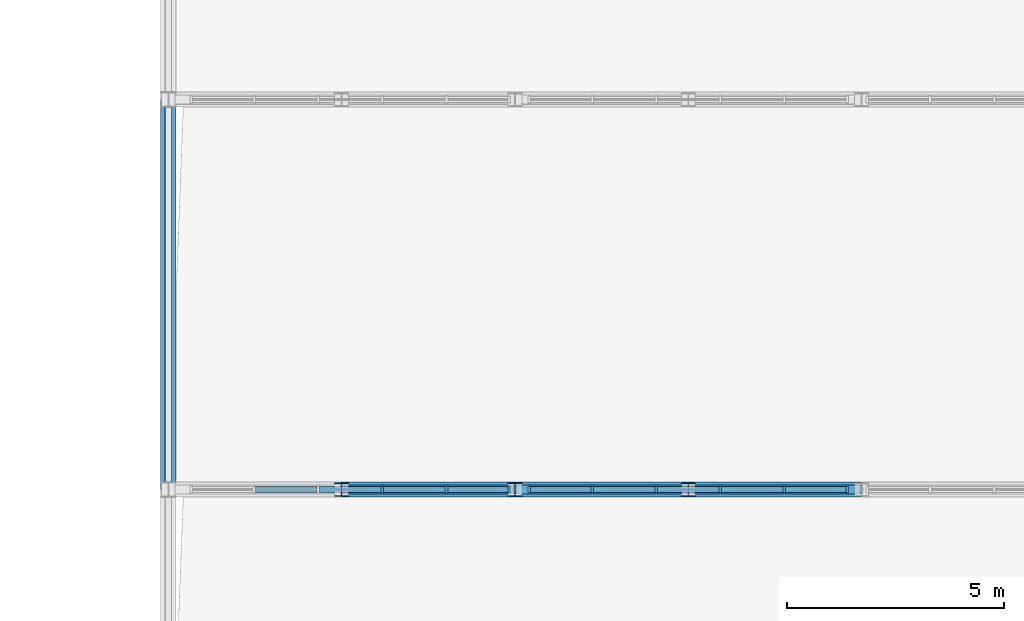
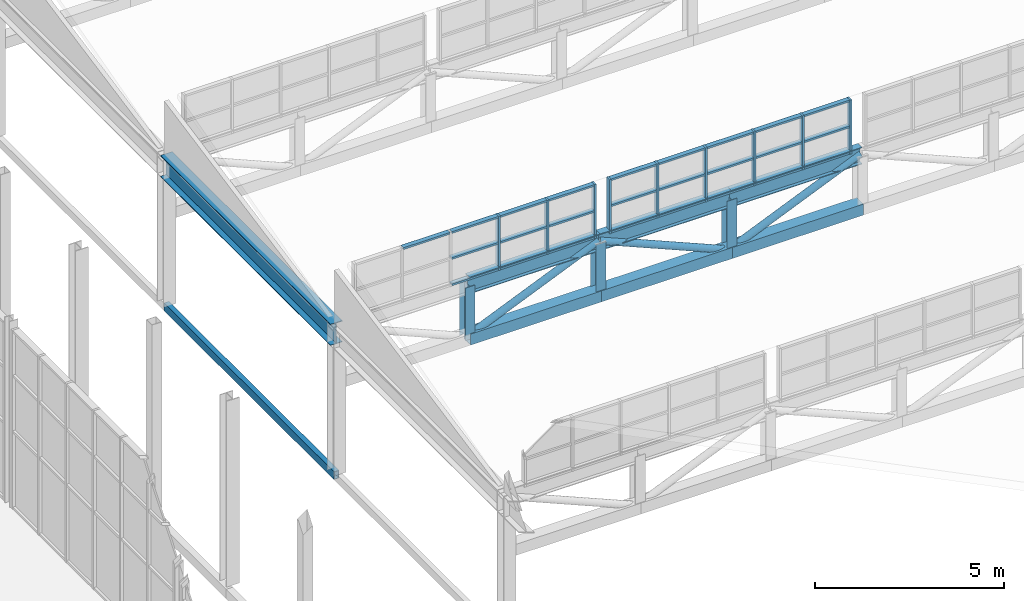
# One storey, part 78 of 159: 46 members, 2 beams, 2 elements without a shape of their own.
"""IFC4 building model written with IfcOpenShell, lengths in metres."""

from ifc_helpers import new_model, si_unit, direction, frame, origin, origin_2d, place, context, subcontext, project, spatial, rectangle, hollow_rectangle, hollow_circle, i_section, extrude, material, layer, layer_set, material_profile, profile_set, type_object, element, aggregate, save


model = new_model("IFC4")

# Units and contexts
model_context = context("Model", 3, precision=1e-05, world=origin(), true_north=direction((0.0, 1.0)))
body_context = subcontext(model_context, "Body", "Model", "MODEL_VIEW")
ifc_project = project(units=[si_unit("LENGTHUNIT", "METRE"), si_unit("AREAUNIT", "SQUARE_METRE"), si_unit("VOLUMEUNIT", "CUBIC_METRE"), si_unit("PLANEANGLEUNIT", "RADIAN"), si_unit("MASSUNIT", "GRAM", prefix="KILO")], contexts=[model_context])

# Site, building, storey
site_placement = place(None, origin())
site = spatial("IfcSite", under=ifc_project, at=site_placement, CompositionType="ELEMENT")
building_placement = place(site_placement, origin())
building = spatial("IfcBuilding", under=site, at=building_placement, Name="Cazmaro Siding Exhibition Halls", CompositionType="ELEMENT")
storey_placement = place(building_placement, frame((0.0, 0.0, 6.0)))
storey = spatial("IfcBuildingStorey", under=building, at=storey_placement, Name="L01", CompositionType="ELEMENT", Elevation=6.0)

# Curtain wall, members
ifc_material_1 = material(Name="Anodized Bronze Aluminum and Solar-Control Low-E Glazing", Category="aluminium")
ifc_layer = layer(ifc_material_1, 0.159912109375)
ifc_layer_set = layer_set([ifc_layer], Name="Anodized Bronze Aluminum and Solar-Control Low-E Glazing")
curtain_wall_type = type_object("IfcCurtainWallType", Name="CWS-04", PredefinedType="USERDEFINED", material=ifc_layer_set)
curtain_wall_1_placement = place(storey_placement, origin())
curtain_wall_1 = element("IfcCurtainWall", 1, at=curtain_wall_1_placement, inside=storey, type_object=curtain_wall_type, Name="Clerestory Curtain Wall CWS-04 CW-120", ObjectType="CLERESTORY CURTAIN WALL", PredefinedType="USERDEFINED")
ifc_material_2 = material(Name="Anodized Bronze Extruded Aluminum", Category="aluminium")
ifc_material_profile_1 = material_profile(ifc_material_2, rectangle(XDim=0.159912109375, YDim=0.06005859375, at=origin_2d()), Name="CWM-04")
ifc_profile_set_1 = profile_set([ifc_material_profile_1], Name="Anodized Bronze Extruded Aluminum")
member_type_1 = type_object("IfcMemberType", Name="CWM-04", PredefinedType="MULLION", material=ifc_profile_set_1)
member_1_placement = place(storey_placement, frame((183.8701171875, 91.0, 4.800048828125), z_axis=(0.0, 0.0, 1.0), x_axis=(0.0, -1.0, 0.0)))
member_1 = element("IfcMember", 2, at=member_1_placement, type_object=member_type_1, Name="CWS-04 mullion 1", PredefinedType="MULLION", context=body_context, shape_type="SweptSolid", body=[
    extrude(rectangle(XDim=0.159912109375, YDim=0.06005859375, at=origin_2d()), origin(), (0.0, 0.0, 1.0), 1.75),
])
member_2_placement = place(storey_placement, frame((182.419921875, 91.0, 4.800048828125), z_axis=(0.0, 0.0, 1.0), x_axis=(0.0, -1.0, 0.0)))
member_2 = element("IfcMember", 3, at=member_2_placement, type_object=member_type_1, Name="CWS-04 mullion 2", PredefinedType="MULLION", context=body_context, shape_type="SweptSolid", body=[
    extrude(rectangle(XDim=0.159912109375, YDim=0.06005859375, at=origin_2d()), origin(), (0.0, 0.0, 1.0), 1.75),
])
member_3_placement = place(storey_placement, frame((180.93994140625, 91.0, 4.800048828125), z_axis=(0.0, 0.0, 1.0), x_axis=(0.0, -1.0, 0.0)))
member_3 = element("IfcMember", 4, at=member_3_placement, type_object=member_type_1, Name="CWS-04 mullion 3", PredefinedType="MULLION", context=body_context, shape_type="SweptSolid", body=[
    extrude(rectangle(XDim=0.159912109375, YDim=0.06005859375, at=origin_2d()), origin(), (0.0, 0.0, 1.0), 1.75),
])

curtain_wall_2_placement = place(storey_placement, origin())
curtain_wall_2 = element("IfcCurtainWall", 5, at=curtain_wall_2_placement, inside=storey, type_object=curtain_wall_type, Name="Clerestory Curtain Wall CWS-04 CW-121", ObjectType="CLERESTORY CURTAIN WALL", PredefinedType="USERDEFINED")
member_4_placement = place(storey_placement, frame((191.669921875, 91.0, 4.800048828125), z_axis=(0.0, 0.0, 1.0), x_axis=(0.0, -1.0, 0.0)))
member_4 = element("IfcMember", 6, at=member_4_placement, type_object=member_type_1, Name="CWS-04 mullion 1", PredefinedType="MULLION", context=body_context, shape_type="SweptSolid", body=[
    extrude(rectangle(XDim=0.159912109375, YDim=0.06005859375, at=origin_2d()), origin(), (0.0, 0.0, 1.0), 1.75),
])
member_5_placement = place(storey_placement, frame((190.219970703125, 91.0, 4.800048828125), z_axis=(0.0, 0.0, 1.0), x_axis=(0.0, -1.0, 0.0)))
member_5 = element("IfcMember", 7, at=member_5_placement, type_object=member_type_1, Name="CWS-04 mullion 2", PredefinedType="MULLION", context=body_context, shape_type="SweptSolid", body=[
    extrude(rectangle(XDim=0.159912109375, YDim=0.06005859375, at=origin_2d()), origin(), (0.0, 0.0, 1.0), 1.75),
])
member_6_placement = place(storey_placement, frame((188.739990234375, 91.0, 4.800048828125), z_axis=(0.0, 0.0, 1.0), x_axis=(0.0, -1.0, 0.0)))
member_6 = element("IfcMember", 8, at=member_6_placement, type_object=member_type_1, Name="CWS-04 mullion 3", PredefinedType="MULLION", context=body_context, shape_type="SweptSolid", body=[
    extrude(rectangle(XDim=0.159912109375, YDim=0.06005859375, at=origin_2d()), origin(), (0.0, 0.0, 1.0), 1.75),
])
member_7_placement = place(storey_placement, frame((187.260009765625, 91.0, 4.800048828125), z_axis=(0.0, 0.0, 1.0), x_axis=(0.0, -1.0, 0.0)))
member_7 = element("IfcMember", 9, at=member_7_placement, type_object=member_type_1, Name="CWS-04 mullion 4", PredefinedType="MULLION", context=body_context, shape_type="SweptSolid", body=[
    extrude(rectangle(XDim=0.159912109375, YDim=0.06005859375, at=origin_2d()), origin(), (0.0, 0.0, 1.0), 1.75),
])
member_8_placement = place(storey_placement, frame((185.780029296875, 91.0, 4.800048828125), z_axis=(0.0, 0.0, 1.0), x_axis=(0.0, -1.0, 0.0)))
member_8 = element("IfcMember", 10, at=member_8_placement, type_object=member_type_1, Name="CWS-04 mullion 5", PredefinedType="MULLION", context=body_context, shape_type="SweptSolid", body=[
    extrude(rectangle(XDim=0.159912109375, YDim=0.06005859375, at=origin_2d()), origin(), (0.0, 0.0, 1.0), 1.75),
])
member_9_placement = place(storey_placement, frame((184.330078125, 91.0, 4.800048828125), z_axis=(0.0, 0.0, 1.0), x_axis=(0.0, -1.0, 0.0)))
member_9 = element("IfcMember", 11, at=member_9_placement, type_object=member_type_1, Name="CWS-04 mullion 6", PredefinedType="MULLION", context=body_context, shape_type="SweptSolid", body=[
    extrude(rectangle(XDim=0.159912109375, YDim=0.06005859375, at=origin_2d()), origin(), (0.0, 0.0, 1.0), 1.75),
])

# Member
ifc_material_3 = material(Name="Anodized Bronze Extruded Aluminum", Category="aluminium")
ifc_material_profile_2 = material_profile(ifc_material_3, rectangle(XDim=0.139892578125, YDim=0.06005859375, at=origin_2d()), Name="CWT-04")
ifc_profile_set_2 = profile_set([ifc_material_profile_2], Name="Anodized Bronze Extruded Aluminum")
member_type_2 = type_object("IfcMemberType", Name="CWT-04", PredefinedType="MULLION", material=ifc_profile_set_2)
member_10_placement = place(storey_placement, frame((183.840087890625, 91.0, 4.830078125), z_axis=(-1.0, 0.0, 0.0), x_axis=(0.0, -1.0, 0.0)))
member_10 = element("IfcMember", 12, at=member_10_placement, type_object=member_type_2, Name="CWS-04 transom 1.1", ObjectType="TRANSOM", PredefinedType="USERDEFINED", context=body_context, shape_type="SweptSolid", body=[
    extrude(rectangle(XDim=0.139892578125, YDim=0.06005859375, at=origin_2d()), origin(), (0.0, 0.0, 1.0), 1.39013671875),
])

member_11_placement = place(storey_placement, frame((183.840087890625, 91.0, 5.679931640625), z_axis=(-1.0, 0.0, 0.0), x_axis=(0.0, -1.0, 0.0)))
member_11 = element("IfcMember", 13, at=member_11_placement, type_object=member_type_2, Name="CWS-04 transom 1.2", ObjectType="TRANSOM", PredefinedType="USERDEFINED", context=body_context, shape_type="SweptSolid", body=[
    extrude(rectangle(XDim=0.139892578125, YDim=0.06005859375, at=origin_2d()), origin(), (0.0, 0.0, 1.0), 1.39013671875),
])

member_12_placement = place(storey_placement, frame((183.840087890625, 91.0, 6.52001953125), z_axis=(-1.0, 0.0, 0.0), x_axis=(0.0, -1.0, 0.0)))
member_12 = element("IfcMember", 14, at=member_12_placement, type_object=member_type_2, Name="CWS-04 transom 1.3", ObjectType="TRANSOM", PredefinedType="USERDEFINED", context=body_context, shape_type="SweptSolid", body=[
    extrude(rectangle(XDim=0.139892578125, YDim=0.06005859375, at=origin_2d()), origin(), (0.0, 0.0, 1.0), 1.39013671875),
])

member_13_placement = place(storey_placement, frame((182.389892578125, 91.0, 4.830078125), z_axis=(-1.0, 0.0, 0.0), x_axis=(0.0, -1.0, 0.0)))
member_13 = element("IfcMember", 15, at=member_13_placement, type_object=member_type_2, Name="CWS-04 transom 2.1", ObjectType="TRANSOM", PredefinedType="USERDEFINED", context=body_context, shape_type="SweptSolid", body=[
    extrude(rectangle(XDim=0.139892578125, YDim=0.06005859375, at=origin_2d()), origin(), (0.0, 0.0, 1.0), 1.419921875),
])

member_14_placement = place(storey_placement, frame((182.389892578125, 91.0, 5.679931640625), z_axis=(-1.0, 0.0, 0.0), x_axis=(0.0, -1.0, 0.0)))
member_14 = element("IfcMember", 16, at=member_14_placement, type_object=member_type_2, Name="CWS-04 transom 2.2", ObjectType="TRANSOM", PredefinedType="USERDEFINED", context=body_context, shape_type="SweptSolid", body=[
    extrude(rectangle(XDim=0.139892578125, YDim=0.06005859375, at=origin_2d()), origin(), (0.0, 0.0, 1.0), 1.419921875),
])

member_15_placement = place(storey_placement, frame((182.389892578125, 91.0, 6.52001953125), z_axis=(-1.0, 0.0, 0.0), x_axis=(0.0, -1.0, 0.0)))
member_15 = element("IfcMember", 17, at=member_15_placement, type_object=member_type_2, Name="CWS-04 transom 2.3", ObjectType="TRANSOM", PredefinedType="USERDEFINED", context=body_context, shape_type="SweptSolid", body=[
    extrude(rectangle(XDim=0.139892578125, YDim=0.06005859375, at=origin_2d()), origin(), (0.0, 0.0, 1.0), 1.419921875),
])

member_16_placement = place(storey_placement, frame((180.909912109375, 91.0, 4.830078125), z_axis=(-1.0, 0.0, 0.0), x_axis=(0.0, -1.0, 0.0)))
member_16 = element("IfcMember", 18, at=member_16_placement, type_object=member_type_2, Name="CWS-04 transom 3.1", ObjectType="TRANSOM", PredefinedType="USERDEFINED", context=body_context, shape_type="SweptSolid", body=[
    extrude(rectangle(XDim=0.139892578125, YDim=0.06005859375, at=origin_2d()), origin(), (0.0, 0.0, 1.0), 1.419921875),
])

member_17_placement = place(storey_placement, frame((180.909912109375, 91.0, 5.679931640625), z_axis=(-1.0, 0.0, 0.0), x_axis=(0.0, -1.0, 0.0)))
member_17 = element("IfcMember", 19, at=member_17_placement, type_object=member_type_2, Name="CWS-04 transom 3.2", ObjectType="TRANSOM", PredefinedType="USERDEFINED", context=body_context, shape_type="SweptSolid", body=[
    extrude(rectangle(XDim=0.139892578125, YDim=0.06005859375, at=origin_2d()), origin(), (0.0, 0.0, 1.0), 1.419921875),
])

member_18_placement = place(storey_placement, frame((180.909912109375, 91.0, 6.52001953125), z_axis=(-1.0, 0.0, 0.0), x_axis=(0.0, -1.0, 0.0)))
member_18 = element("IfcMember", 20, at=member_18_placement, type_object=member_type_2, Name="CWS-04 transom 3.3", ObjectType="TRANSOM", PredefinedType="USERDEFINED", context=body_context, shape_type="SweptSolid", body=[
    extrude(rectangle(XDim=0.139892578125, YDim=0.06005859375, at=origin_2d()), origin(), (0.0, 0.0, 1.0), 1.419921875),
])

member_19_placement = place(storey_placement, frame((179.429931640625, 91.0, 6.52001953125), z_axis=(-1.0, 0.0, 0.0), x_axis=(0.0, -1.0, 0.0)))
member_19 = element("IfcMember", 21, at=member_19_placement, type_object=member_type_2, Name="CWS-04 transom 4.3", ObjectType="TRANSOM", PredefinedType="USERDEFINED", context=body_context, shape_type="SweptSolid", body=[
    extrude(rectangle(XDim=0.139892578125, YDim=0.06005859375, at=origin_2d()), origin(), (0.0, 0.0, 1.0), 1.419921875),
])

aggregate(curtain_wall_1, [member_1, member_2, member_3, member_10, member_11, member_12, member_13, member_14, member_15, member_16, member_17, member_18, member_19])

member_20_placement = place(storey_placement, frame((191.639892578125, 91.0, 4.830078125), z_axis=(-1.0, 0.0, 0.0), x_axis=(0.0, -1.0, 0.0)))
member_20 = element("IfcMember", 22, at=member_20_placement, type_object=member_type_2, Name="CWS-04 transom 1.1", ObjectType="TRANSOM", PredefinedType="USERDEFINED", context=body_context, shape_type="SweptSolid", body=[
    extrude(rectangle(XDim=0.139892578125, YDim=0.06005859375, at=origin_2d()), origin(), (0.0, 0.0, 1.0), 1.389892578125),
])

member_21_placement = place(storey_placement, frame((191.639892578125, 91.0, 5.679931640625), z_axis=(-1.0, 0.0, 0.0), x_axis=(0.0, -1.0, 0.0)))
member_21 = element("IfcMember", 23, at=member_21_placement, type_object=member_type_2, Name="CWS-04 transom 1.2", ObjectType="TRANSOM", PredefinedType="USERDEFINED", context=body_context, shape_type="SweptSolid", body=[
    extrude(rectangle(XDim=0.139892578125, YDim=0.06005859375, at=origin_2d()), origin(), (0.0, 0.0, 1.0), 1.389892578125),
])

member_22_placement = place(storey_placement, frame((191.639892578125, 91.0, 6.52001953125), z_axis=(-1.0, 0.0, 0.0), x_axis=(0.0, -1.0, 0.0)))
member_22 = element("IfcMember", 24, at=member_22_placement, type_object=member_type_2, Name="CWS-04 transom 1.3", ObjectType="TRANSOM", PredefinedType="USERDEFINED", context=body_context, shape_type="SweptSolid", body=[
    extrude(rectangle(XDim=0.139892578125, YDim=0.06005859375, at=origin_2d()), origin(), (0.0, 0.0, 1.0), 1.389892578125),
])

member_23_placement = place(storey_placement, frame((190.18994140625, 91.0, 4.830078125), z_axis=(-1.0, 0.0, 0.0), x_axis=(0.0, -1.0, 0.0)))
member_23 = element("IfcMember", 25, at=member_23_placement, type_object=member_type_2, Name="CWS-04 transom 2.1", ObjectType="TRANSOM", PredefinedType="USERDEFINED", context=body_context, shape_type="SweptSolid", body=[
    extrude(rectangle(XDim=0.139892578125, YDim=0.06005859375, at=origin_2d()), origin(), (0.0, 0.0, 1.0), 1.419921875),
])

member_24_placement = place(storey_placement, frame((190.18994140625, 91.0, 5.679931640625), z_axis=(-1.0, 0.0, 0.0), x_axis=(0.0, -1.0, 0.0)))
member_24 = element("IfcMember", 26, at=member_24_placement, type_object=member_type_2, Name="CWS-04 transom 2.2", ObjectType="TRANSOM", PredefinedType="USERDEFINED", context=body_context, shape_type="SweptSolid", body=[
    extrude(rectangle(XDim=0.139892578125, YDim=0.06005859375, at=origin_2d()), origin(), (0.0, 0.0, 1.0), 1.419921875),
])

member_25_placement = place(storey_placement, frame((190.18994140625, 91.0, 6.52001953125), z_axis=(-1.0, 0.0, 0.0), x_axis=(0.0, -1.0, 0.0)))
member_25 = element("IfcMember", 27, at=member_25_placement, type_object=member_type_2, Name="CWS-04 transom 2.3", ObjectType="TRANSOM", PredefinedType="USERDEFINED", context=body_context, shape_type="SweptSolid", body=[
    extrude(rectangle(XDim=0.139892578125, YDim=0.06005859375, at=origin_2d()), origin(), (0.0, 0.0, 1.0), 1.419921875),
])

member_26_placement = place(storey_placement, frame((188.7099609375, 91.0, 4.830078125), z_axis=(-1.0, 0.0, 0.0), x_axis=(0.0, -1.0, 0.0)))
member_26 = element("IfcMember", 28, at=member_26_placement, type_object=member_type_2, Name="CWS-04 transom 3.1", ObjectType="TRANSOM", PredefinedType="USERDEFINED", context=body_context, shape_type="SweptSolid", body=[
    extrude(rectangle(XDim=0.139892578125, YDim=0.06005859375, at=origin_2d()), origin(), (0.0, 0.0, 1.0), 1.419921875),
])

member_27_placement = place(storey_placement, frame((188.7099609375, 91.0, 5.679931640625), z_axis=(-1.0, 0.0, 0.0), x_axis=(0.0, -1.0, 0.0)))
member_27 = element("IfcMember", 29, at=member_27_placement, type_object=member_type_2, Name="CWS-04 transom 3.2", ObjectType="TRANSOM", PredefinedType="USERDEFINED", context=body_context, shape_type="SweptSolid", body=[
    extrude(rectangle(XDim=0.139892578125, YDim=0.06005859375, at=origin_2d()), origin(), (0.0, 0.0, 1.0), 1.419921875),
])

member_28_placement = place(storey_placement, frame((188.7099609375, 91.0, 6.52001953125), z_axis=(-1.0, 0.0, 0.0), x_axis=(0.0, -1.0, 0.0)))
member_28 = element("IfcMember", 30, at=member_28_placement, type_object=member_type_2, Name="CWS-04 transom 3.3", ObjectType="TRANSOM", PredefinedType="USERDEFINED", context=body_context, shape_type="SweptSolid", body=[
    extrude(rectangle(XDim=0.139892578125, YDim=0.06005859375, at=origin_2d()), origin(), (0.0, 0.0, 1.0), 1.419921875),
])

member_29_placement = place(storey_placement, frame((187.22998046875, 91.0, 4.830078125), z_axis=(-1.0, 0.0, 0.0), x_axis=(0.0, -1.0, 0.0)))
member_29 = element("IfcMember", 31, at=member_29_placement, type_object=member_type_2, Name="CWS-04 transom 4.1", ObjectType="TRANSOM", PredefinedType="USERDEFINED", context=body_context, shape_type="SweptSolid", body=[
    extrude(rectangle(XDim=0.139892578125, YDim=0.06005859375, at=origin_2d()), origin(), (0.0, 0.0, 1.0), 1.419921875),
])

member_30_placement = place(storey_placement, frame((187.22998046875, 91.0, 5.679931640625), z_axis=(-1.0, 0.0, 0.0), x_axis=(0.0, -1.0, 0.0)))
member_30 = element("IfcMember", 32, at=member_30_placement, type_object=member_type_2, Name="CWS-04 transom 4.2", ObjectType="TRANSOM", PredefinedType="USERDEFINED", context=body_context, shape_type="SweptSolid", body=[
    extrude(rectangle(XDim=0.139892578125, YDim=0.06005859375, at=origin_2d()), origin(), (0.0, 0.0, 1.0), 1.419921875),
])

member_31_placement = place(storey_placement, frame((187.22998046875, 91.0, 6.52001953125), z_axis=(-1.0, 0.0, 0.0), x_axis=(0.0, -1.0, 0.0)))
member_31 = element("IfcMember", 33, at=member_31_placement, type_object=member_type_2, Name="CWS-04 transom 4.3", ObjectType="TRANSOM", PredefinedType="USERDEFINED", context=body_context, shape_type="SweptSolid", body=[
    extrude(rectangle(XDim=0.139892578125, YDim=0.06005859375, at=origin_2d()), origin(), (0.0, 0.0, 1.0), 1.419921875),
])

member_32_placement = place(storey_placement, frame((185.75, 91.0, 4.830078125), z_axis=(-1.0, 0.0, 0.0), x_axis=(0.0, -1.0, 0.0)))
member_32 = element("IfcMember", 34, at=member_32_placement, type_object=member_type_2, Name="CWS-04 transom 5.1", ObjectType="TRANSOM", PredefinedType="USERDEFINED", context=body_context, shape_type="SweptSolid", body=[
    extrude(rectangle(XDim=0.139892578125, YDim=0.06005859375, at=origin_2d()), origin(), (0.0, 0.0, 1.0), 1.389892578125),
])

member_33_placement = place(storey_placement, frame((185.75, 91.0, 5.679931640625), z_axis=(-1.0, 0.0, 0.0), x_axis=(0.0, -1.0, 0.0)))
member_33 = element("IfcMember", 35, at=member_33_placement, type_object=member_type_2, Name="CWS-04 transom 5.2", ObjectType="TRANSOM", PredefinedType="USERDEFINED", context=body_context, shape_type="SweptSolid", body=[
    extrude(rectangle(XDim=0.139892578125, YDim=0.06005859375, at=origin_2d()), origin(), (0.0, 0.0, 1.0), 1.389892578125),
])

member_34_placement = place(storey_placement, frame((185.75, 91.0, 6.52001953125), z_axis=(-1.0, 0.0, 0.0), x_axis=(0.0, -1.0, 0.0)))
member_34 = element("IfcMember", 36, at=member_34_placement, type_object=member_type_2, Name="CWS-04 transom 5.3", ObjectType="TRANSOM", PredefinedType="USERDEFINED", context=body_context, shape_type="SweptSolid", body=[
    extrude(rectangle(XDim=0.139892578125, YDim=0.06005859375, at=origin_2d()), origin(), (0.0, 0.0, 1.0), 1.389892578125),
])

aggregate(curtain_wall_2, [member_4, member_5, member_6, member_7, member_8, member_9, member_20, member_21, member_22, member_23, member_24, member_25, member_26, member_27, member_28, member_29, member_30, member_31, member_32, member_33, member_34])

# Beams
ifc_material_4 = material(Name="Steel ASTM A992 Grade 50", Category="steel")
ifc_material_profile_3 = material_profile(ifc_material_4, i_section(OverallWidth=0.35595703125, OverallDepth=0.696044921875, WebThickness=0.014892578125, FlangeThickness=0.02490234375, at=origin_2d()), Name="W27X146")
ifc_profile_set_3 = profile_set([ifc_material_profile_3], Name="Steel ASTM A992 Grade 50")
beam_type_1 = type_object("IfcBeamType", Name="G-05", PredefinedType="USERDEFINED", material=ifc_profile_set_3)
beam_1_placement = place(storey_placement, frame((176.0, 91.0, 4.451904296875), z_axis=(0.0, 1.0, 0.0), x_axis=(-1.0, 0.0, 0.0)))
element("IfcBeam", 37, at=beam_1_placement, inside=storey, type_object=beam_type_1, Name="Beam G-05 BM-1556", ObjectType="GIRDER", PredefinedType="USERDEFINED", context=body_context, shape_type="SweptSolid", body=[
    extrude(i_section(OverallWidth=0.35595703125, OverallDepth=0.696044921875, WebThickness=0.014892578125, FlangeThickness=0.02490234375, at=origin_2d()), origin(), (0.0, 0.0, 1.0), 9.0),
])
ifc_material_5 = material(Name="Steel ASTM A500 Grade C", Category="steel")
ifc_material_profile_4 = material_profile(ifc_material_5, hollow_rectangle(XDim=0.152099609375, YDim=0.25390625, WallThickness=0.011962890625, at=origin_2d()), Name="HSS10X6X1/2")
ifc_profile_set_4 = profile_set([ifc_material_profile_4], Name="Steel ASTM A500 Grade C")
beam_type_2 = type_object("IfcBeamType", Name="SP-02", PredefinedType="SPANDREL", material=ifc_profile_set_4)
beam_2_placement = place(storey_placement, frame((176.0, 91.0, -0.126953125), z_axis=(0.0, 1.0, 0.0), x_axis=(-1.0, 0.0, 0.0)))
element("IfcBeam", 38, at=beam_2_placement, inside=storey, type_object=beam_type_2, Name="Beam SP-02 BM-1555", PredefinedType="SPANDREL", context=body_context, shape_type="SweptSolid", body=[
    extrude(hollow_rectangle(XDim=0.152099609375, YDim=0.25390625, WallThickness=0.011962890625, at=origin_2d()), origin(), (0.0, 0.0, 1.0), 9.0),
])

# Members
ifc_material_6 = material(Name="Steel ASTM A992 Grade 50", Category="steel")
ifc_material_profile_5 = material_profile(ifc_material_6, i_section(OverallWidth=0.214111328125, OverallDepth=0.549072265625, WebThickness=0.014892578125, FlangeThickness=0.02392578125, at=origin_2d()), Name="W21X93")
ifc_profile_set_5 = profile_set([ifc_material_profile_5], Name="Steel ASTM A992 Grade 50")
member_type_3 = type_object("IfcMemberType", Name="TC-04", PredefinedType="CHORD", material=ifc_profile_set_5)
for number, where, z_axis, x_axis, name in (
    (39, (180.0, 91.0, 4.64990234375), (1.0, 0.0, 0.0), (0.0, 1.0, 0.0), "Sawtooth truss top chord TC-04 MEM-3091"),
    (40, (184.0, 91.0, 4.64990234375), (1.0, 0.0, 0.0), (0.0, 1.0, 0.0), "Sawtooth truss top chord TC-04 MEM-3094"),
    (41, (188.0, 91.0, 4.64990234375), (1.0, 0.0, 0.0), (0.0, 1.0, 0.0), "Sawtooth truss top chord TC-04 MEM-3097"),
):
    element("IfcMember", number, at=place(storey_placement, frame(where, z_axis=z_axis, x_axis=x_axis)), inside=storey, type_object=member_type_3, Name=name, PredefinedType="CHORD", context=body_context, shape_type="SweptSolid", body=[
        extrude(i_section(OverallWidth=0.214111328125, OverallDepth=0.549072265625, WebThickness=0.014892578125, FlangeThickness=0.02392578125, at=origin_2d()), origin(), (0.0, 0.0, 1.0), 4.0),
    ])
ifc_material_7 = material(Name="Steel ASTM A500 Grade C", Category="steel")
ifc_material_profile_6 = material_profile(ifc_material_7, hollow_rectangle(XDim=0.35595703125, YDim=0.35595703125, WallThickness=0.014892578125, at=origin_2d()), Name="HSS14X14X5/8")
ifc_profile_set_6 = profile_set([ifc_material_profile_6], Name="Steel ASTM A500 Grade C")
member_type_4 = type_object("IfcMemberType", Name="TC-05", PredefinedType="CHORD", material=ifc_profile_set_6)
for number, where, z_axis, x_axis, name in (
    (42, (180.0, 91.0, 2.949951171875), (1.0, 0.0, 0.0), (0.0, 1.0, 0.0), "Sawtooth truss bottom chord TC-05 MEM-3092"),
    (43, (184.0, 91.0, 2.949951171875), (1.0, 0.0, 0.0), (0.0, 1.0, 0.0), "Sawtooth truss bottom chord TC-05 MEM-3095"),
    (44, (188.0, 91.0, 2.949951171875), (1.0, 0.0, 0.0), (0.0, 1.0, 0.0), "Sawtooth truss bottom chord TC-05 MEM-3098"),
):
    element("IfcMember", number, at=place(storey_placement, frame(where, z_axis=z_axis, x_axis=x_axis)), inside=storey, type_object=member_type_4, Name=name, PredefinedType="CHORD", context=body_context, shape_type="SweptSolid", body=[
        extrude(hollow_rectangle(XDim=0.35595703125, YDim=0.35595703125, WallThickness=0.014892578125, at=origin_2d()), origin(), (0.0, 0.0, 1.0), 4.0),
    ])
ifc_material_8 = material(Name="Steel ASTM A992 Grade 50", Category="steel")
ifc_material_profile_7 = material_profile(ifc_material_8, i_section(OverallWidth=0.304931640625, OverallDepth=0.306884765625, WebThickness=0.010009765625, FlangeThickness=0.014892578125, at=origin_2d()), Name="W12X65")
ifc_profile_set_7 = profile_set([ifc_material_profile_7], Name="Steel ASTM A992 Grade 50")
member_type_5 = type_object("IfcMemberType", Name="TP-03", PredefinedType="POST", material=ifc_profile_set_7)
for number, where, z_axis, x_axis, name in (
    (45, (180.0, 91.0, 2.949951171875), (0.0, 0.0, 1.0), (1.0, 0.0, 0.0), "Sawtooth truss post TP-03 MEM-3118"),
    (46, (184.0, 91.0, 2.949951171875), (0.0, 0.0, 1.0), (1.0, 0.0, 0.0), "Sawtooth truss post TP-03 MEM-3119"),
    (47, (188.0, 91.0, 2.949951171875), (0.0, 0.0, 1.0), (1.0, 0.0, 0.0), "Sawtooth truss post TP-03 MEM-3120"),
):
    element("IfcMember", number, at=place(storey_placement, frame(where, z_axis=z_axis, x_axis=x_axis)), inside=storey, type_object=member_type_5, Name=name, PredefinedType="POST", context=body_context, shape_type="SweptSolid", body=[
        extrude(i_section(OverallWidth=0.304931640625, OverallDepth=0.306884765625, WebThickness=0.010009765625, FlangeThickness=0.014892578125, at=origin_2d()), origin(), (0.0, 0.0, 1.0), 1.699951171875),
    ])
ifc_material_9 = material(Name="Steel ASTM A500 Grade C", Category="steel")
ifc_material_profile_8 = material_profile(ifc_material_9, hollow_circle(Radius=0.109619140625, WallThickness=0.012939453125, at=origin_2d()), Name="PIPE8XS")
ifc_profile_set_8 = profile_set([ifc_material_profile_8], Name="Steel ASTM A500 Grade C")
member_type_6 = type_object("IfcMemberType", Name="WB-01", PredefinedType="BRACE", material=ifc_profile_set_8)
for number, where, z_axis, x_axis, name in (
    (48, (180.0, 91.0, 2.949951171875), (0.920334962612, 0.0, 0.391131124553), (0.0, 1.0, 0.0), "Sawtooth truss diagonal WB-01 MEM-3093"),
    (49, (184.0, 91.0, 4.64990234375), (0.920334962612, 0.0, -0.391131124553), (0.0, 1.0, 0.0), "Sawtooth truss diagonal WB-01 MEM-3096"),
    (50, (188.0, 91.0, 2.949951171875), (0.920334962612, 0.0, 0.391131124553), (0.0, 1.0, 0.0), "Sawtooth truss diagonal WB-01 MEM-3099"),
):
    element("IfcMember", number, at=place(storey_placement, frame(where, z_axis=z_axis, x_axis=x_axis)), inside=storey, type_object=member_type_6, Name=name, PredefinedType="BRACE", context=body_context, shape_type="SweptSolid", body=[
        extrude(hollow_circle(Radius=0.109619140625, WallThickness=0.012939453125, at=origin_2d()), origin(), (0.0, 0.0, 1.0), 4.34619140625),
    ])

save(model, "model.ifc")
